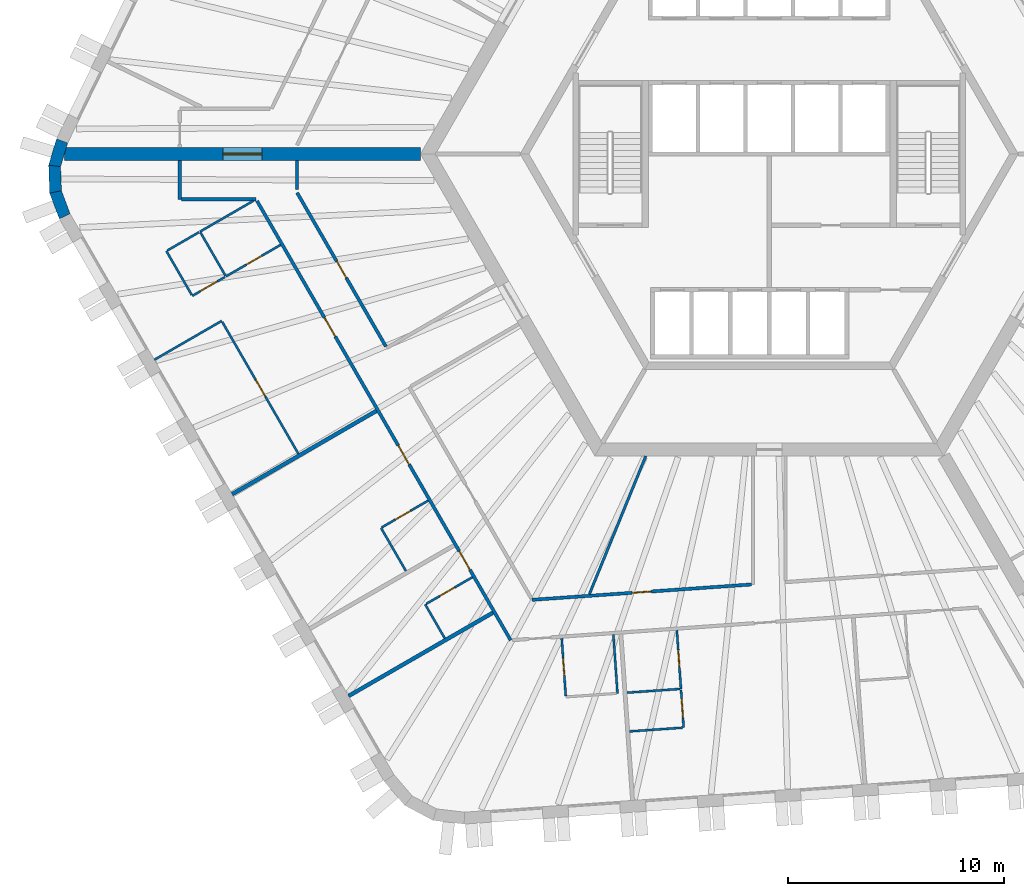
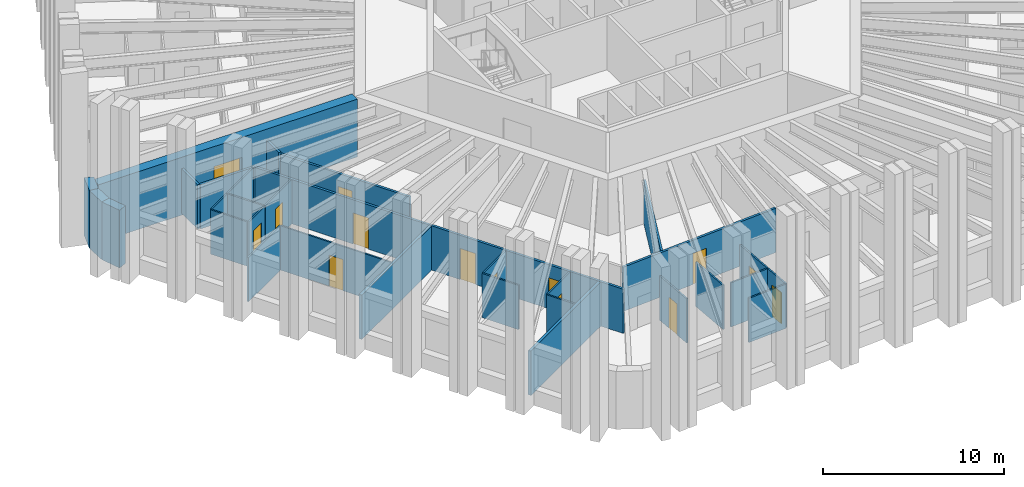
# One storey, part 3 of 13: 31 walls, 14 doors, 14 openings.
"""IFC4 building model written with IfcOpenShell, lengths in metres."""

from ifc_helpers import new_model, si_unit, direction, frame, frame_2d, origin, place, context, subcontext, project, spatial, polyline, rectangle, outline, extrude, material, layer, layer_set, type_object, element, fill, save


model = new_model("IFC4")

# Units and contexts
model_context = context("Model", 3, precision=1e-05, world=origin(), true_north=direction((0.0, 1.0)))
body_context = subcontext(model_context, "Body", "Model", "MODEL_VIEW")
ifc_project = project(units=[si_unit("LENGTHUNIT", "METRE"), si_unit("AREAUNIT", "SQUARE_METRE"), si_unit("VOLUMEUNIT", "CUBIC_METRE"), si_unit("PLANEANGLEUNIT", "RADIAN"), si_unit("MASSUNIT", "GRAM", prefix="KILO")], contexts=[model_context])

# Site, building, storey
site_placement = place(None, origin())
site = spatial("IfcSite", under=ifc_project, at=site_placement, CompositionType="ELEMENT")
building_placement = place(site_placement, origin())
building = spatial("IfcBuilding", under=site, at=building_placement, Name="Tarnside Tower", CompositionType="ELEMENT")
storey_placement = place(building_placement, frame((0.0, 0.0, 80.39990234375)))
storey = spatial("IfcBuildingStorey", under=building, at=storey_placement, Name="L17", CompositionType="ELEMENT", Elevation=80.39990234375)

# Wall
ifc_material_1 = material(Name="Gypsum board partition on steel studs", Category="steel")
ifc_layer_1 = layer(ifc_material_1, 0.10009765625)
ifc_layer_set_1 = layer_set([ifc_layer_1], Name="Bathroom wall 100")
wall_type_1 = type_object("IfcWallType", Name="Bathroom wall 100", PredefinedType="PARTITIONING", material=ifc_layer_set_1)
wall_1_placement = place(storey_placement, frame((-26.385009765625, -3.60009765625, 0.0), z_axis=(0.0, 0.0, 1.0), x_axis=(0.866025820012, 0.499999279071, 0.0)))
element("IfcWall", 1, at=wall_1_placement, inside=storey, type_object=wall_type_1, Name="Bathroom wall 05105", PredefinedType="PARTITIONING", context=body_context, shape_type="SweptSolid", body=[
    extrude(rectangle(XDim=2.85009765625, YDim=0.10009765625, at=frame_2d((1.425048828125, 0.0))), origin(), (0.0, 0.0, 1.0), 2.98779296875),
])

# Wall, opening, door
wall_2_placement = place(storey_placement, frame((-22.65185546875, -4.216064453125, 0.0), z_axis=(0.0, 0.0, 1.0), x_axis=(-0.866025730634, -0.499999433879, 0.0)))
wall_2 = element("IfcWall", 2, at=wall_2_placement, inside=storey, type_object=wall_type_1, Name="Bathroom wall 05106", PredefinedType="PARTITIONING", context=body_context, shape_type="SweptSolid", body=[
    extrude(rectangle(XDim=2.9248046875, YDim=0.10009765625, at=frame_2d((1.46240234375, 0.0))), origin(), (0.0, 0.0, 1.0), 2.98779296875),
])
opening_1_placement = place(wall_2_placement, frame((1.02490234375, 0.0, 0.0)))
opening_1 = element("IfcOpeningElement", 3, at=opening_1_placement, cuts=wall_2, Name="Opening D-B1", PredefinedType="OPENING", context=body_context, shape_type="SweptSolid", body=[
    extrude(rectangle(XDim=0.800048828125, YDim=2.10009765625, at=frame_2d((0.39990234375, 1.050048828125))), frame((0.0, 0.06005859375, 0.0), z_axis=(0.0, -1.0, 0.0), x_axis=(1.0, 0.0, 0.0)), (0.0, 0.0, 1.0), 0.1201171875),
])
ifc_material_2 = material(Name="Timber door leaf", Category="wood")
door_type_1 = type_object("IfcDoorType", Name="Bathroom door 800", OperationType="NOTDEFINED", PredefinedType="DOOR", material=ifc_material_2)
door_1_placement = place(opening_1_placement, origin())
door_1 = element("IfcDoor", 4, at=door_1_placement, inside=storey, type_object=door_type_1, Name="Bathroom door 05016", OperationType="SINGLE_SWING_RIGHT", OverallHeight=2.10009765625, OverallWidth=0.800048828125, PredefinedType="DOOR", context=body_context, shape_type="SweptSolid", body=[
    extrude(rectangle(XDim=0.800048828125, YDim=2.10009765625, at=frame_2d((0.39990234375, 1.050048828125))), frame((0.0, 0.02490234375, 0.0), z_axis=(0.0, -1.0, 0.0), x_axis=(1.0, 0.0, 0.0)), (0.0, 0.0, 1.0), 0.050048828125),
])
fill(opening_1, door_1)

# Walls
wall_3_placement = place(storey_placement, frame((-26.35986328125, -3.643310546875, 0.0), z_axis=(0.0, 0.0, 1.0), x_axis=(0.499952165731, -0.866053019151, 0.0)))
element("IfcWall", 5, at=wall_3_placement, inside=storey, type_object=wall_type_1, Name="Bathroom wall 05113", PredefinedType="PARTITIONING", context=body_context, shape_type="SweptSolid", body=[
    extrude(rectangle(XDim=2.300048828125, YDim=0.10009765625, at=frame_2d((1.14990234375, 0.0))), origin(), (0.0, 0.0, 1.0), 2.98779296875),
])
wall_4_placement = place(storey_placement, frame((-16.840576171875, -19.331298828125, 0.0), z_axis=(0.0, 0.0, 1.0), x_axis=(-0.500015210774, 0.866016621662, 0.0)))
element("IfcWall", 6, at=wall_4_placement, inside=storey, type_object=wall_type_1, Name="Bathroom wall 05115", PredefinedType="PARTITIONING", context=body_context, shape_type="SweptSolid", body=[
    extrude(rectangle(XDim=2.31005859375, YDim=0.10009765625, at=frame_2d((1.155029296875, 0.0))), origin(), (0.0, 0.0, 1.0), 2.98779296875),
])

# Wall, opening, door
wall_5_placement = place(storey_placement, frame((-17.952392578125, -17.3056640625, 0.0), z_axis=(0.0, 0.0, 1.0), x_axis=(0.866031185235, 0.4999899861, 0.0)))
wall_5 = element("IfcWall", 7, at=wall_5_placement, inside=storey, type_object=wall_type_1, Name="Bathroom wall 05116", PredefinedType="PARTITIONING", context=body_context, shape_type="SweptSolid", body=[
    extrude(rectangle(XDim=2.47509765625, YDim=0.10009765625, at=frame_2d((1.237548828125, 0.0))), origin(), (0.0, 0.0, 1.0), 2.98779296875),
])
opening_2_placement = place(wall_5_placement, frame((0.719970703125, 0.0, 0.0)))
opening_2 = element("IfcOpeningElement", 8, at=opening_2_placement, cuts=wall_5, Name="Opening D-B1", PredefinedType="OPENING", context=body_context, shape_type="SweptSolid", body=[
    extrude(rectangle(XDim=0.800048828125, YDim=2.10009765625, at=frame_2d((0.39990234375, 1.050048828125))), frame((0.0, 0.06005859375, 0.0), z_axis=(0.0, -1.0, 0.0), x_axis=(1.0, 0.0, 0.0)), (0.0, 0.0, 1.0), 0.1201171875),
])
door_2_placement = place(opening_2_placement, origin())
door_2 = element("IfcDoor", 9, at=door_2_placement, inside=storey, type_object=door_type_1, Name="Bathroom door 05020", OperationType="SINGLE_SWING_RIGHT", OverallHeight=2.10009765625, OverallWidth=0.800048828125, PredefinedType="DOOR", context=body_context, shape_type="SweptSolid", body=[
    extrude(rectangle(XDim=0.800048828125, YDim=2.10009765625, at=frame_2d((0.39990234375, 1.050048828125))), frame((0.0, 0.02490234375, 0.0), z_axis=(0.0, -1.0, 0.0), x_axis=(1.0, 0.0, 0.0)), (0.0, 0.0, 1.0), 0.050048828125),
])
fill(opening_2, door_2)

# Wall
wall_6_placement = place(storey_placement, frame((-15.04052734375, -22.448974609375, 0.0), z_axis=(0.0, 0.0, 1.0), x_axis=(-0.499983199978, 0.866035103064, 0.0)))
element("IfcWall", 10, at=wall_6_placement, inside=storey, type_object=wall_type_1, Name="Bathroom wall 05119", PredefinedType="PARTITIONING", context=body_context, shape_type="SweptSolid", body=[
    extrude(rectangle(XDim=1.81005859375, YDim=0.10009765625, at=frame_2d((0.905029296875, 0.0))), origin(), (0.0, 0.0, 1.0), 2.98779296875),
])

# Wall, opening, door
wall_7_placement = place(storey_placement, frame((-15.90234375, -20.8564453125, 0.0), z_axis=(0.0, 0.0, 1.0), x_axis=(0.866031185235, 0.4999899861, 0.0)))
wall_7 = element("IfcWall", 11, at=wall_7_placement, inside=storey, type_object=wall_type_1, Name="Bathroom wall 05120", PredefinedType="PARTITIONING", context=body_context, shape_type="SweptSolid", body=[
    extrude(rectangle(XDim=2.47509765625, YDim=0.10009765625, at=frame_2d((1.237548828125, 0.0))), origin(), (0.0, 0.0, 1.0), 2.98779296875),
])
opening_3_placement = place(wall_7_placement, frame((0.719970703125, 0.0, 0.0)))
opening_3 = element("IfcOpeningElement", 12, at=opening_3_placement, cuts=wall_7, Name="Opening D-B1", PredefinedType="OPENING", context=body_context, shape_type="SweptSolid", body=[
    extrude(rectangle(XDim=0.800048828125, YDim=2.10009765625, at=frame_2d((0.39990234375, 1.050048828125))), frame((0.0, 0.06005859375, 0.0), z_axis=(0.0, -1.0, 0.0), x_axis=(1.0, 0.0, 0.0)), (0.0, 0.0, 1.0), 0.1201171875),
])
door_3_placement = place(opening_3_placement, origin())
door_3 = element("IfcDoor", 13, at=door_3_placement, inside=storey, type_object=door_type_1, Name="Bathroom door 05022", OperationType="SINGLE_SWING_RIGHT", OverallHeight=2.10009765625, OverallWidth=0.800048828125, PredefinedType="DOOR", context=body_context, shape_type="SweptSolid", body=[
    extrude(rectangle(XDim=0.800048828125, YDim=2.10009765625, at=frame_2d((0.39990234375, 1.050048828125))), frame((0.0, 0.02490234375, 0.0), z_axis=(0.0, -1.0, 0.0), x_axis=(1.0, 0.0, 0.0)), (0.0, 0.0, 1.0), 0.050048828125),
])
fill(opening_3, door_3)

# Wall
wall_8_placement = place(storey_placement, frame((-7.224365234375, -22.283203125, 0.0), z_axis=(0.0, 0.0, 1.0), x_axis=(0.069795247212, -0.997561338198, 0.0)))
element("IfcWall", 14, at=wall_8_placement, inside=storey, type_object=wall_type_1, Name="Bathroom wall 05123", PredefinedType="PARTITIONING", context=body_context, shape_type="SweptSolid", body=[
    extrude(rectangle(XDim=2.724853515625, YDim=0.10009765625, at=frame_2d((1.3623046875, 0.0))), origin(), (0.0, 0.0, 1.0), 2.98779296875),
])

# Wall, opening, door
wall_9_placement = place(storey_placement, frame((-9.431884765625, -25.119140625, 0.0), z_axis=(0.0, 0.0, 1.0), x_axis=(-0.069729221413, 0.997565955554, 0.0)))
wall_9 = element("IfcWall", 15, at=wall_9_placement, inside=storey, type_object=wall_type_1, Name="Bathroom wall 05125", PredefinedType="PARTITIONING", context=body_context, shape_type="SweptSolid", body=[
    extrude(rectangle(XDim=2.675048828125, YDim=0.10009765625, at=frame_2d((1.33740234375, 0.0))), origin(), (0.0, 0.0, 1.0), 2.98779296875),
])
opening_4_placement = place(wall_9_placement, frame((0.949951171875, 0.0, 0.0)))
opening_4 = element("IfcOpeningElement", 16, at=opening_4_placement, cuts=wall_9, Name="Opening D-B1", PredefinedType="OPENING", context=body_context, shape_type="SweptSolid", body=[
    extrude(rectangle(XDim=0.800048828125, YDim=2.10009765625, at=frame_2d((0.39990234375, 1.050048828125))), frame((0.0, 0.06005859375, 0.0), z_axis=(0.0, -1.0, 0.0), x_axis=(1.0, 0.0, 0.0)), (0.0, 0.0, 1.0), 0.1201171875),
])
door_4_placement = place(opening_4_placement, origin())
door_4 = element("IfcDoor", 17, at=door_4_placement, inside=storey, type_object=door_type_1, Name="Bathroom door 05024", OperationType="SINGLE_SWING_LEFT", OverallHeight=2.10009765625, OverallWidth=0.800048828125, PredefinedType="DOOR", context=body_context, shape_type="SweptSolid", body=[
    extrude(rectangle(XDim=0.800048828125, YDim=2.10009765625, at=frame_2d((0.39990234375, 1.050048828125))), frame((0.0, 0.02490234375, 0.0), z_axis=(0.0, -1.0, 0.0), x_axis=(1.0, 0.0, 0.0)), (0.0, 0.0, 1.0), 0.050048828125),
])
fill(opening_4, door_4)

wall_10_placement = place(storey_placement, frame((-4.281494140625, -22.077392578125, 0.0), z_axis=(0.0, 0.0, 1.0), x_axis=(0.069789009646, -0.997561774595, 0.0)))
wall_10 = element("IfcWall", 18, at=wall_10_placement, inside=storey, type_object=wall_type_1, Name="Bathroom wall 05129", PredefinedType="PARTITIONING", context=body_context, shape_type="SweptSolid", body=[
    extrude(rectangle(XDim=2.72509765625, YDim=0.10009765625, at=frame_2d((1.362548828125, 0.0))), origin(), (0.0, 0.0, 1.0), 2.98779296875),
])
opening_5_placement = place(wall_10_placement, frame((0.925048828125, 0.0, 0.0)))
opening_5 = element("IfcOpeningElement", 19, at=opening_5_placement, cuts=wall_10, Name="Opening D-B1", PredefinedType="OPENING", context=body_context, shape_type="SweptSolid", body=[
    extrude(rectangle(XDim=0.800048828125, YDim=2.10009765625, at=frame_2d((0.39990234375, 1.050048828125))), frame((0.0, 0.06005859375, 0.0), z_axis=(0.0, -1.0, 0.0), x_axis=(1.0, 0.0, 0.0)), (0.0, 0.0, 1.0), 0.1201171875),
])
door_5_placement = place(opening_5_placement, origin())
door_5 = element("IfcDoor", 20, at=door_5_placement, inside=storey, type_object=door_type_1, Name="Bathroom door 05026", OperationType="SINGLE_SWING_RIGHT", OverallHeight=2.10009765625, OverallWidth=0.800048828125, PredefinedType="DOOR", context=body_context, shape_type="SweptSolid", body=[
    extrude(rectangle(XDim=0.800048828125, YDim=2.10009765625, at=frame_2d((0.39990234375, 1.050048828125))), frame((0.0, 0.02490234375, 0.0), z_axis=(0.0, -1.0, 0.0), x_axis=(1.0, 0.0, 0.0)), (0.0, 0.0, 1.0), 0.050048828125),
])
fill(opening_5, door_5)

# Wall
wall_11_placement = place(storey_placement, frame((-6.59521484375, -24.970947265625, 0.0), z_axis=(0.0, 0.0, 1.0), x_axis=(0.997562906323, 0.069772830877, 0.0)))
element("IfcWall", 21, at=wall_11_placement, inside=storey, type_object=wall_type_1, Name="Bathroom wall 05134", PredefinedType="PARTITIONING", context=body_context, shape_type="SweptSolid", body=[
    extrude(rectangle(XDim=2.4599609375, YDim=0.10009765625, at=frame_2d((1.22998046875, 0.0))), origin(), (0.0, 0.0, 1.0), 2.98779296875),
])

# Wall, opening, door
ifc_material_3 = material(Name="Concrete C80/95", Category="concrete")
ifc_layer_2 = layer(ifc_material_3, 0.60009765625)
ifc_layer_set_2 = layer_set([ifc_layer_2], Name="Core wall Z1 600 C80/95")
wall_type_2 = type_object("IfcWallType", Name="Core wall Z1 600 C80/95", PredefinedType="SHEAR", material=ifc_layer_set_2)
wall_12_placement = place(storey_placement, frame((-16.165771484375, 0.0, -0.14990234375), z_axis=(0.0, 0.0, 1.0), x_axis=(-1.0, 0.0, 0.0)))
wall_12 = element("IfcWall", 22, at=wall_12_placement, inside=storey, type_object=wall_type_2, Name="L17 spine wall 2", PredefinedType="SHEAR", context=body_context, shape_type="SweptSolid", body=[
    extrude(rectangle(XDim=16.509033203125, YDim=0.60009765625, at=frame_2d((8.25439453125, 0.0))), origin(), (0.0, 0.0, 1.0), 3.89990234375),
])
opening_6_placement = place(wall_12_placement, frame((7.3544921875, 0.0, 0.14990234375)))
opening_6 = element("IfcOpeningElement", 23, at=opening_6_placement, cuts=wall_12, Name="Opening CD-SPN", PredefinedType="OPENING", context=body_context, shape_type="SweptSolid", body=[
    extrude(rectangle(XDim=1.800048828125, YDim=2.39990234375, at=frame_2d((0.89990234375, 1.199951171875))), frame((0.0, 0.31005859375, 0.0), z_axis=(0.0, -1.0, 0.0), x_axis=(1.0, 0.0, 0.0)), (0.0, 0.0, 1.0), 0.6201171875),
])
ifc_material_4 = material(Name="Steel fire door", Category="steel")
door_type_2 = type_object("IfcDoorType", Name="Spine passage double door FD60 1800x2400", OperationType="NOTDEFINED", PredefinedType="DOOR", material=ifc_material_4)
door_6_placement = place(opening_6_placement, origin())
door_6 = element("IfcDoor", 24, at=door_6_placement, inside=storey, type_object=door_type_2, Name="L17 spine passage door 2", OperationType="DOUBLE_DOOR_SINGLE_SWING", OverallHeight=2.39990234375, OverallWidth=1.800048828125, PredefinedType="DOOR", context=body_context, shape_type="SweptSolid", body=[
    extrude(rectangle(XDim=1.800048828125, YDim=2.39990234375, at=frame_2d((0.89990234375, 1.199951171875))), frame((0.0, 0.02490234375, 0.0), z_axis=(0.0, -1.0, 0.0), x_axis=(1.0, 0.0, 0.0)), (0.0, 0.0, 1.0), 0.050048828125),
])
fill(opening_6, door_6)

# Walls
ifc_layer_3 = layer(ifc_material_1, 0.14990234375)
ifc_layer_set_3 = layer_set([ifc_layer_3], Name="Corridor wall 150 EI 60")
wall_type_3 = type_object("IfcWallType", Name="Corridor wall 150 EI 60", PredefinedType="PARTITIONING", material=ifc_layer_set_3)
wall_13_placement = place(storey_placement, frame((-27.3203125, -0.300048828125, 0.0), z_axis=(0.0, 0.0, 1.0), x_axis=(0.0, -1.0, 0.0)))
element("IfcWall", 25, at=wall_13_placement, inside=storey, type_object=wall_type_3, Name="Corridor wall 05027", PredefinedType="PARTITIONING", context=body_context, shape_type="SweptSolid", body=[
    extrude(rectangle(XDim=1.800048828125, YDim=0.14990234375, at=frame_2d((0.89990234375, 0.0))), origin(), (0.0, 0.0, 1.0), 2.98779296875),
])
wall_14_placement = place(storey_placement, frame((-27.245361328125, -2.10009765625, 0.0), z_axis=(0.0, 0.0, 1.0), x_axis=(1.0, 0.0, 0.0)))
element("IfcWall", 26, at=wall_14_placement, inside=storey, type_object=wall_type_3, Name="Corridor wall 05028", PredefinedType="PARTITIONING", context=body_context, shape_type="SweptSolid", body=[
    extrude(rectangle(XDim=3.45849609375, YDim=0.14990234375, at=frame_2d((1.729248046875, 0.0))), origin(), (0.0, 0.0, 1.0), 2.98779296875),
])

# Wall, openings, doors
wall_15_placement = place(storey_placement, frame((-23.743408203125, -2.175048828125, 0.0), z_axis=(0.0, 0.0, 1.0), x_axis=(0.499992353047, -0.86602981871, 0.0)))
wall_15 = element("IfcWall", 27, at=wall_15_placement, inside=storey, type_object=wall_type_3, Name="Corridor wall 05029", PredefinedType="PARTITIONING", context=body_context, shape_type="SweptSolid", body=[
    extrude(rectangle(XDim=23.516357421875, YDim=0.14990234375, at=frame_2d((11.75830078125, 0.0))), origin(), (0.0, 0.0, 1.0), 2.98779296875),
])
opening_7_placement = place(wall_15_placement, frame((6.25634765625, 0.0, 0.0)))
opening_7 = element("IfcOpeningElement", 28, at=opening_7_placement, cuts=wall_15, Name="Opening D-E1", PredefinedType="OPENING", context=body_context, shape_type="SweptSolid", body=[
    extrude(rectangle(XDim=1.0, YDim=2.10009765625, at=frame_2d((0.5, 1.050048828125))), frame((0.0, 0.0849609375, 0.0), z_axis=(0.0, -1.0, 0.0), x_axis=(1.0, 0.0, 0.0)), (0.0, 0.0, 1.0), 0.169921875),
])
opening_8_placement = place(wall_15_placement, frame((13.09912109375, 0.0, 0.0)))
opening_8 = element("IfcOpeningElement", 29, at=opening_8_placement, cuts=wall_15, Name="Opening D-E1", PredefinedType="OPENING", context=body_context, shape_type="SweptSolid", body=[
    extrude(rectangle(XDim=1.0, YDim=2.10009765625, at=frame_2d((0.5, 1.050048828125))), frame((0.0, 0.0849609375, 0.0), z_axis=(0.0, -1.0, 0.0), x_axis=(1.0, 0.0, 0.0)), (0.0, 0.0, 1.0), 0.169921875),
])
opening_9_placement = place(wall_15_placement, frame((18.749267578125, 0.0, 0.0)))
opening_9 = element("IfcOpeningElement", 30, at=opening_9_placement, cuts=wall_15, Name="Opening D-E1", PredefinedType="OPENING", context=body_context, shape_type="SweptSolid", body=[
    extrude(rectangle(XDim=1.0, YDim=2.10009765625, at=frame_2d((0.5, 1.050048828125))), frame((0.0, 0.0849609375, 0.0), z_axis=(0.0, -1.0, 0.0), x_axis=(1.0, 0.0, 0.0)), (0.0, 0.0, 1.0), 0.169921875),
])
door_type_3 = type_object("IfcDoorType", Name="Unit entrance door 1000 FD30S", OperationType="NOTDEFINED", PredefinedType="DOOR", material=ifc_material_2)
door_7_placement = place(opening_7_placement, origin())
door_7 = element("IfcDoor", 31, at=door_7_placement, inside=storey, type_object=door_type_3, Name="Unit door 05015", OperationType="SINGLE_SWING_LEFT", OverallHeight=2.10009765625, OverallWidth=1.0, PredefinedType="DOOR", context=body_context, shape_type="SweptSolid", body=[
    extrude(rectangle(XDim=1.0, YDim=2.10009765625, at=frame_2d((0.5, 1.050048828125))), frame((0.0, 0.02490234375, 0.0), z_axis=(0.0, -1.0, 0.0), x_axis=(1.0, 0.0, 0.0)), (0.0, 0.0, 1.0), 0.050048828125),
])
fill(opening_7, door_7)
door_8_placement = place(opening_8_placement, origin())
door_8 = element("IfcDoor", 32, at=door_8_placement, inside=storey, type_object=door_type_3, Name="Unit door 05019", OperationType="SINGLE_SWING_LEFT", OverallHeight=2.10009765625, OverallWidth=1.0, PredefinedType="DOOR", context=body_context, shape_type="SweptSolid", body=[
    extrude(rectangle(XDim=1.0, YDim=2.10009765625, at=frame_2d((0.5, 1.050048828125))), frame((0.0, 0.02490234375, 0.0), z_axis=(0.0, -1.0, 0.0), x_axis=(1.0, 0.0, 0.0)), (0.0, 0.0, 1.0), 0.050048828125),
])
fill(opening_8, door_8)
door_9_placement = place(opening_9_placement, origin())
door_9 = element("IfcDoor", 33, at=door_9_placement, inside=storey, type_object=door_type_3, Name="Unit door 05021", OperationType="SINGLE_SWING_RIGHT", OverallHeight=2.10009765625, OverallWidth=1.0, PredefinedType="DOOR", context=body_context, shape_type="SweptSolid", body=[
    extrude(rectangle(XDim=1.0, YDim=2.10009765625, at=frame_2d((0.5, 1.050048828125))), frame((0.0, 0.02490234375, 0.0), z_axis=(0.0, -1.0, 0.0), x_axis=(1.0, 0.0, 0.0)), (0.0, 0.0, 1.0), 0.050048828125),
])
fill(opening_9, door_9)

# Wall, opening, door
wall_16_placement = place(storey_placement, frame((-17.767578125, -8.92578125, 0.0), z_axis=(0.0, 0.0, 1.0), x_axis=(-0.499997033681, 0.866027116383, 0.0)))
wall_16 = element("IfcWall", 34, at=wall_16_placement, inside=storey, type_object=wall_type_3, Name="Corridor wall 05046", PredefinedType="PARTITIONING", context=body_context, shape_type="SweptSolid", body=[
    extrude(rectangle(XDim=8.2353515625, YDim=0.14990234375, at=frame_2d((4.11767578125, 0.0))), origin(), (0.0, 0.0, 1.0), 2.98779296875),
])
opening_10_placement = place(wall_16_placement, frame((3.667724609375, 0.0, 0.0)))
opening_10 = element("IfcOpeningElement", 35, at=opening_10_placement, cuts=wall_16, Name="Opening D-S1", PredefinedType="OPENING", context=body_context, shape_type="SweptSolid", body=[
    extrude(rectangle(XDim=0.89990234375, YDim=2.10009765625, at=frame_2d((0.449951171875, 1.050048828125))), frame((0.0, 0.0849609375, 0.0), z_axis=(0.0, -1.0, 0.0), x_axis=(1.0, 0.0, 0.0)), (0.0, 0.0, 1.0), 0.169921875),
])
door_type_4 = type_object("IfcDoorType", Name="Service room door 900 FD30S", OperationType="NOTDEFINED", PredefinedType="DOOR", material=ifc_material_2)
door_10_placement = place(opening_10_placement, origin())
door_10 = element("IfcDoor", 36, at=door_10_placement, inside=storey, type_object=door_type_4, Name="Service door 05045", OperationType="SINGLE_SWING_RIGHT", OverallHeight=2.10009765625, OverallWidth=0.89990234375, PredefinedType="DOOR", context=body_context, shape_type="SweptSolid", body=[
    extrude(rectangle(XDim=0.89990234375, YDim=2.10009765625, at=frame_2d((0.449951171875, 1.050048828125))), frame((0.0, 0.02490234375, 0.0), z_axis=(0.0, -1.0, 0.0), x_axis=(1.0, 0.0, 0.0)), (0.0, 0.0, 1.0), 0.050048828125),
])
fill(opening_10, door_10)

# Wall
wall_17_placement = place(storey_placement, frame((-21.88525390625, -1.643798828125, 0.0), z_axis=(0.0, 0.0, 1.0), x_axis=(0.0, 1.0, 0.0)))
element("IfcWall", 37, at=wall_17_placement, inside=storey, type_object=wall_type_3, Name="Corridor wall 05047", PredefinedType="PARTITIONING", context=body_context, shape_type="SweptSolid", body=[
    extrude(rectangle(XDim=1.34375, YDim=0.14990234375, at=frame_2d((0.671875, 0.0))), origin(), (0.0, 0.0, 1.0), 2.98779296875),
])

# Wall, opening, door
wall_18_placement = place(storey_placement, frame((-0.824951171875, -19.9560546875, 0.0), z_axis=(0.0, 0.0, 1.0), x_axis=(-0.997562587881, -0.069777383582, 0.0)))
wall_18 = element("IfcWall", 38, at=wall_18_placement, inside=storey, type_object=wall_type_3, Name="Corridor wall 05049", PredefinedType="PARTITIONING", context=body_context, shape_type="SweptSolid", body=[
    extrude(rectangle(XDim=10.188720703125, YDim=0.14990234375, at=frame_2d((5.09423828125, 0.0))), origin(), (0.0, 0.0, 1.0), 2.98779296875),
])
opening_11_placement = place(wall_18_placement, frame((4.644287109375, 0.0, 0.0)))
opening_11 = element("IfcOpeningElement", 39, at=opening_11_placement, cuts=wall_18, Name="Opening D-S1", PredefinedType="OPENING", context=body_context, shape_type="SweptSolid", body=[
    extrude(rectangle(XDim=0.89990234375, YDim=2.10009765625, at=frame_2d((0.449951171875, 1.050048828125))), frame((0.0, 0.0849609375, 0.0), z_axis=(0.0, -1.0, 0.0), x_axis=(1.0, 0.0, 0.0)), (0.0, 0.0, 1.0), 0.169921875),
])
door_11_placement = place(opening_11_placement, origin())
door_11 = element("IfcDoor", 40, at=door_11_placement, inside=storey, type_object=door_type_4, Name="Service door 05046", OperationType="SINGLE_SWING_LEFT", OverallHeight=2.10009765625, OverallWidth=0.89990234375, PredefinedType="DOOR", context=body_context, shape_type="SweptSolid", body=[
    extrude(rectangle(XDim=0.89990234375, YDim=2.10009765625, at=frame_2d((0.449951171875, 1.050048828125))), frame((0.0, 0.02490234375, 0.0), z_axis=(0.0, -1.0, 0.0), x_axis=(1.0, 0.0, 0.0)), (0.0, 0.0, 1.0), 0.050048828125),
])
fill(opening_11, door_11)

# Walls
ifc_layer_4 = layer(ifc_material_1, 0.179931640625)
ifc_layer_set_4 = layer_set([ifc_layer_4], Name="Demising wall 180 EI 60")
wall_type_4 = type_object("IfcWallType", Name="Demising wall 180 EI 60", PredefinedType="PARTITIONING", material=ifc_layer_set_4)
wall_19_placement = place(storey_placement, frame((-24.89892578125, -15.773681640625, 0.0), z_axis=(0.0, 0.0, 1.0), x_axis=(0.866032958989, 0.499986913773, 0.0)))
element("IfcWall", 41, at=wall_19_placement, inside=storey, type_object=wall_type_4, Name="Demising wall 05112", PredefinedType="PARTITIONING", context=body_context, shape_type="SweptSolid", body=[
    extrude(rectangle(XDim=7.724853515625, YDim=0.179931640625, at=frame_2d((3.8623046875, 0.0))), origin(), (0.0, 0.0, 1.0), 2.98779296875),
])
wall_20_placement = place(storey_placement, frame((-19.4990234375, -25.126953125, 0.0), z_axis=(0.0, 0.0, 1.0), x_axis=(0.866027174938, 0.499996932259, 0.0)))
element("IfcWall", 42, at=wall_20_placement, inside=storey, type_object=wall_type_4, Name="Demising wall 05121", PredefinedType="PARTITIONING", context=body_context, shape_type="SweptSolid", body=[
    extrude(rectangle(XDim=7.72509765625, YDim=0.179931640625, at=frame_2d((3.862548828125, 0.0))), origin(), (0.0, 0.0, 1.0), 2.98779296875),
])

# Wall, opening, door
ifc_layer_5 = layer(ifc_material_1, 0.10009765625)
ifc_layer_set_5 = layer_set([ifc_layer_5], Name="Partition 100")
wall_type_5 = type_object("IfcWallType", Name="Partition 100", PredefinedType="PARTITIONING", material=ifc_layer_set_5)
wall_21_placement = place(storey_placement, frame((-25.228271484375, -5.703369140625, 0.0), z_axis=(0.0, 0.0, 1.0), x_axis=(-0.866002029911, -0.500040482552, 0.0)))
wall_21 = element("IfcWall", 43, at=wall_21_placement, inside=storey, type_object=wall_type_5, Name="Partition wall 05107", PredefinedType="PARTITIONING", context=body_context, shape_type="SweptSolid", body=[
    extrude(rectangle(XDim=1.749755859375, YDim=0.10009765625, at=frame_2d((0.875, 0.0))), origin(), (0.0, 0.0, 1.0), 2.98779296875),
])
opening_12_placement = place(wall_21_placement, frame((0.39990234375, 0.0, 0.0)))
opening_12 = element("IfcOpeningElement", 44, at=opening_12_placement, cuts=wall_21, Name="Opening D-I1", PredefinedType="OPENING", context=body_context, shape_type="SweptSolid", body=[
    extrude(rectangle(XDim=0.89990234375, YDim=2.10009765625, at=frame_2d((0.449951171875, 1.050048828125))), frame((0.0, 0.06005859375, 0.0), z_axis=(0.0, -1.0, 0.0), x_axis=(1.0, 0.0, 0.0)), (0.0, 0.0, 1.0), 0.1201171875),
])
door_type_5 = type_object("IfcDoorType", Name="Internal door 900", OperationType="NOTDEFINED", PredefinedType="DOOR", material=ifc_material_2)
door_12_placement = place(opening_12_placement, origin())
door_12 = element("IfcDoor", 45, at=door_12_placement, inside=storey, type_object=door_type_5, Name="Internal door 05017", OperationType="SINGLE_SWING_LEFT", OverallHeight=2.10009765625, OverallWidth=0.89990234375, PredefinedType="DOOR", context=body_context, shape_type="SweptSolid", body=[
    extrude(rectangle(XDim=0.89990234375, YDim=2.10009765625, at=frame_2d((0.449951171875, 1.050048828125))), frame((0.0, 0.02490234375, 0.0), z_axis=(0.0, -1.0, 0.0), x_axis=(1.0, 0.0, 0.0)), (0.0, 0.0, 1.0), 0.050048828125),
])
fill(opening_12, door_12)

# Walls
wall_22_placement = place(storey_placement, frame((-26.768798828125, -6.53515625, 0.0), z_axis=(0.0, 0.0, 1.0), x_axis=(-0.500016218704, 0.866016039709, 0.0)))
element("IfcWall", 46, at=wall_22_placement, inside=storey, type_object=wall_type_5, Name="Partition wall 05108", PredefinedType="PARTITIONING", context=body_context, shape_type="SweptSolid", body=[
    extrude(rectangle(XDim=2.35009765625, YDim=0.10009765625, at=frame_2d((1.175048828125, 0.0))), origin(), (0.0, 0.0, 1.0), 2.98779296875),
])
wall_23_placement = place(storey_placement, frame((-27.900390625, -4.47509765625, 0.0), z_axis=(0.0, 0.0, 1.0), x_axis=(0.865989465428, 0.500062241894, 0.0)))
element("IfcWall", 47, at=wall_23_placement, inside=storey, type_object=wall_type_5, Name="Partition wall 05109", PredefinedType="PARTITIONING", context=body_context, shape_type="SweptSolid", body=[
    extrude(rectangle(XDim=1.699951171875, YDim=0.10009765625, at=frame_2d((0.85009765625, 0.0))), origin(), (0.0, 0.0, 1.0), 2.98779296875),
])
wall_24_placement = place(storey_placement, frame((-28.4990234375, -9.538330078125, 0.0), z_axis=(0.0, 0.0, 1.0), x_axis=(0.866047807691, 0.499961193289, 0.0)))
element("IfcWall", 48, at=wall_24_placement, inside=storey, type_object=wall_type_5, Name="Partition wall 05110", PredefinedType="PARTITIONING", context=body_context, shape_type="SweptSolid", body=[
    extrude(rectangle(XDim=3.599853515625, YDim=0.10009765625, at=frame_2d((1.7998046875, 0.0))), origin(), (0.0, 0.0, 1.0), 2.98779296875),
])

# Wall, opening, door
wall_25_placement = place(storey_placement, frame((-25.356201171875, -7.78173828125, 0.0), z_axis=(0.0, 0.0, 1.0), x_axis=(0.500010820671, -0.866019156377, 0.0)))
wall_25 = element("IfcWall", 49, at=wall_25_placement, inside=storey, type_object=wall_type_5, Name="Partition wall 05111", PredefinedType="PARTITIONING", context=body_context, shape_type="SweptSolid", body=[
    extrude(rectangle(XDim=7.059814453125, YDim=0.10009765625, at=frame_2d((3.52978515625, 0.0))), origin(), (0.0, 0.0, 1.0), 2.98779296875),
])
opening_13_placement = place(wall_25_placement, frame((3.10009765625, 0.0, 0.0)))
opening_13 = element("IfcOpeningElement", 50, at=opening_13_placement, cuts=wall_25, Name="Opening D-I1", PredefinedType="OPENING", context=body_context, shape_type="SweptSolid", body=[
    extrude(rectangle(XDim=0.89990234375, YDim=2.10009765625, at=frame_2d((0.449951171875, 1.050048828125))), frame((0.0, 0.06005859375, 0.0), z_axis=(0.0, -1.0, 0.0), x_axis=(1.0, 0.0, 0.0)), (0.0, 0.0, 1.0), 0.1201171875),
])
door_13_placement = place(opening_13_placement, origin())
door_13 = element("IfcDoor", 51, at=door_13_placement, inside=storey, type_object=door_type_5, Name="Internal door 05018", OperationType="SINGLE_SWING_LEFT", OverallHeight=2.10009765625, OverallWidth=0.89990234375, PredefinedType="DOOR", context=body_context, shape_type="SweptSolid", body=[
    extrude(rectangle(XDim=0.89990234375, YDim=2.10009765625, at=frame_2d((0.449951171875, 1.050048828125))), frame((0.0, 0.02490234375, 0.0), z_axis=(0.0, -1.0, 0.0), x_axis=(1.0, 0.0, 0.0)), (0.0, 0.0, 1.0), 0.050048828125),
])
fill(opening_13, door_13)

wall_26_placement = place(storey_placement, frame((-4.087890625, -24.845703125, 0.0), z_axis=(0.0, 0.0, 1.0), x_axis=(0.069759707979, -0.997563824095, 0.0)))
wall_26 = element("IfcWall", 52, at=wall_26_placement, inside=storey, type_object=wall_type_5, Name="Partition wall 05130", PredefinedType="PARTITIONING", context=body_context, shape_type="SweptSolid", body=[
    extrude(rectangle(XDim=1.749755859375, YDim=0.10009765625, at=frame_2d((0.875, 0.0))), origin(), (0.0, 0.0, 1.0), 2.98779296875),
])
opening_14_placement = place(wall_26_placement, frame((0.39990234375, 0.0, 0.0)))
opening_14 = element("IfcOpeningElement", 53, at=opening_14_placement, cuts=wall_26, Name="Opening D-I1", PredefinedType="OPENING", context=body_context, shape_type="SweptSolid", body=[
    extrude(rectangle(XDim=0.89990234375, YDim=2.10009765625, at=frame_2d((0.449951171875, 1.050048828125))), frame((0.0, 0.06005859375, 0.0), z_axis=(0.0, -1.0, 0.0), x_axis=(1.0, 0.0, 0.0)), (0.0, 0.0, 1.0), 0.1201171875),
])
door_14_placement = place(opening_14_placement, origin())
door_14 = element("IfcDoor", 54, at=door_14_placement, inside=storey, type_object=door_type_5, Name="Internal door 05027", OperationType="SINGLE_SWING_LEFT", OverallHeight=2.10009765625, OverallWidth=0.89990234375, PredefinedType="DOOR", context=body_context, shape_type="SweptSolid", body=[
    extrude(rectangle(XDim=0.89990234375, YDim=2.10009765625, at=frame_2d((0.449951171875, 1.050048828125))), frame((0.0, 0.02490234375, 0.0), z_axis=(0.0, -1.0, 0.0), x_axis=(1.0, 0.0, 0.0)), (0.0, 0.0, 1.0), 0.050048828125),
])
fill(opening_14, door_14)

# Walls
wall_27_placement = place(storey_placement, frame((-4.015625, -26.594970703125, 0.0), z_axis=(0.0, 0.0, 1.0), x_axis=(-0.997563389425, -0.069765923475, 0.0)))
element("IfcWall", 55, at=wall_27_placement, inside=storey, type_object=wall_type_5, Name="Partition wall 05131", PredefinedType="PARTITIONING", context=body_context, shape_type="SweptSolid", body=[
    extrude(rectangle(XDim=2.460205078125, YDim=0.10009765625, at=frame_2d((1.22998046875, 0.0))), origin(), (0.0, 0.0, 1.0), 2.98779296875),
])
ifc_layer_6 = layer(ifc_material_1, 0.1201171875)
ifc_layer_set_6 = layer_set([ifc_layer_6], Name="Service room wall 120 EI 60")
wall_type_6 = type_object("IfcWallType", Name="Service room wall 120 EI 60", PredefinedType="PARTITIONING", material=ifc_layer_set_6)
wall_28_placement = place(storey_placement, frame((-5.719482421875, -14.0, 0.0), z_axis=(0.0, 0.0, 1.0), x_axis=(-0.378193217714, -0.925726682166, 0.0)))
element("IfcWall", 56, at=wall_28_placement, inside=storey, type_object=wall_type_6, Name="Service wall 05160", PredefinedType="PARTITIONING", context=body_context, shape_type="SweptSolid", body=[
    extrude(rectangle(XDim=6.920166015625, YDim=0.1201171875, at=frame_2d((3.4599609375, 0.0))), origin(), (0.0, 0.0, 1.0), 2.98779296875),
])
ifc_material_5 = material(Name="Facing brick", Category="masonry")
ifc_layer_7 = layer(ifc_material_5, 0.10205078125)
ifc_material_6 = material(Name="Concrete C60/75 precast", Category="concrete")
ifc_layer_8 = layer(ifc_material_6, 0.347900390625)
ifc_material_7 = material(Name="Mineral wool insulation")
ifc_layer_9 = layer(ifc_material_7, 0.10009765625)
ifc_layer_set_7 = layer_set([ifc_layer_7, ifc_layer_8, ifc_layer_9], Name="Tube wall 550 brick faced")
wall_type_7 = type_object("IfcWallType", Name="Tube wall 550 brick faced", PredefinedType="SOLIDWALL", material=ifc_layer_set_7)
wall_29_placement = place(storey_placement, frame((-32.77685546875, 0.605224609375, -0.14990234375), z_axis=(0.0, 0.0, 1.0), x_axis=(-0.286921497463, -0.957954098219, 0.0)))
element("IfcWall", 57, at=wall_29_placement, inside=storey, type_object=wall_type_7, Name="Tube wall L17 F2 chord 05", PredefinedType="SOLIDWALL", context=body_context, shape_type="SweptSolid", body=[
    extrude(outline(polyline([(-0.0224609375, -0.27490234375), (1.25341796875, -0.27490234375), (1.1630859375, 0.27490234375), (0.0224609375, 0.27490234375), (-0.0224609375, -0.27490234375)])), origin(), (0.0, 0.0, 1.0), 3.89990234375),
])
wall_30_placement = place(storey_placement, frame((-33.12353515625, -0.55224609375, -0.14990234375), z_axis=(0.0, 0.0, 1.0), x_axis=(0.03495638276, -0.999388838893, 0.0)))
element("IfcWall", 58, at=wall_30_placement, inside=storey, type_object=wall_type_7, Name="Tube wall L17 F2 chord 06", PredefinedType="SOLIDWALL", context=body_context, shape_type="SweptSolid", body=[
    extrude(outline(polyline([(-0.045166015625, -0.27490234375), (1.25341796875, -0.27490234375), (1.1630859375, 0.27490234375), (0.045166015625, 0.27490234375), (-0.045166015625, -0.27490234375)])), origin(), (0.0, 0.0, 1.0), 3.89990234375),
])
wall_31_placement = place(storey_placement, frame((-33.081298828125, -1.759765625, -0.14990234375), z_axis=(0.0, 0.0, 1.0), x_axis=(0.353027214741, -0.935613053378, 0.0)))
element("IfcWall", 59, at=wall_31_placement, inside=storey, type_object=wall_type_7, Name="Tube wall L17 F2 chord 07", PredefinedType="SOLIDWALL", context=body_context, shape_type="SweptSolid", body=[
    extrude(outline(polyline([(-0.045166015625, -0.27490234375), (1.230712890625, -0.27490234375), (1.185791015625, 0.27490234375), (0.045166015625, 0.27490234375), (-0.045166015625, -0.27490234375)])), origin(), (0.0, 0.0, 1.0), 3.89990234375),
])

save(model, "model.ifc")
